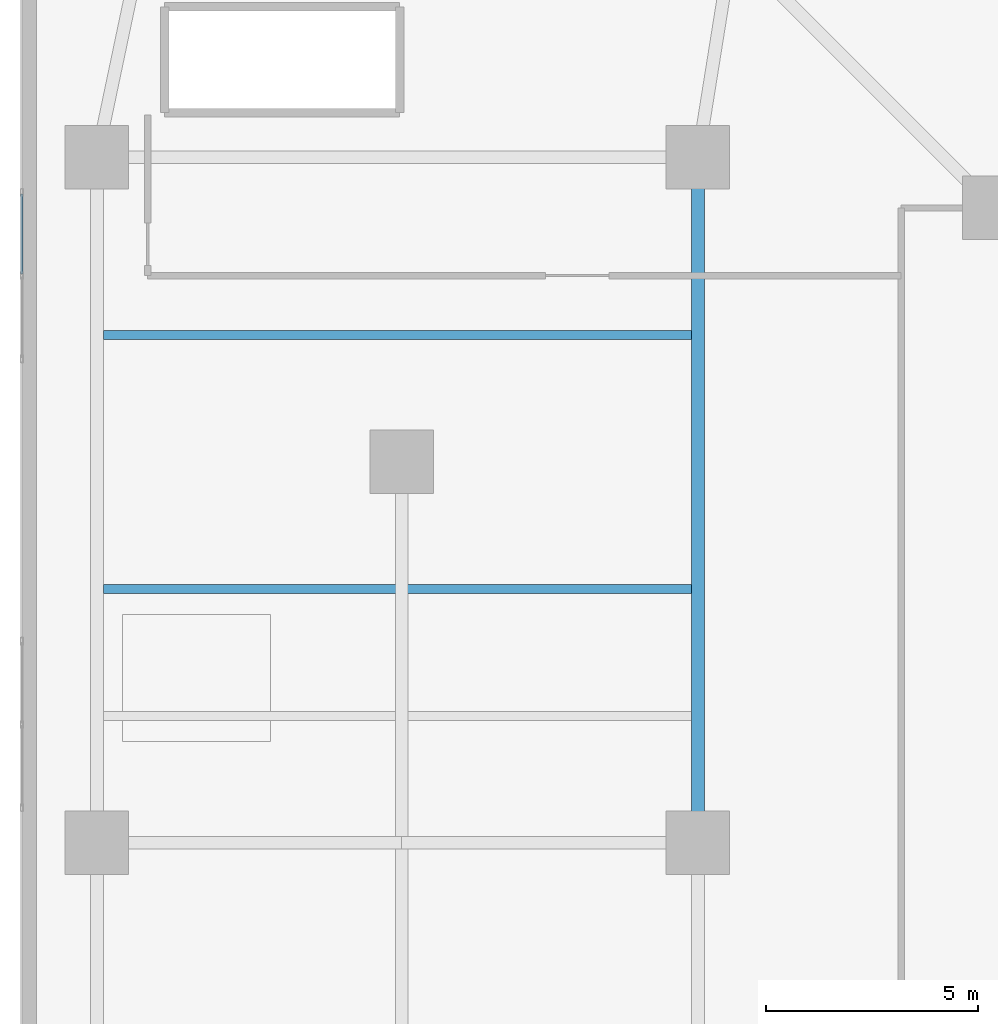
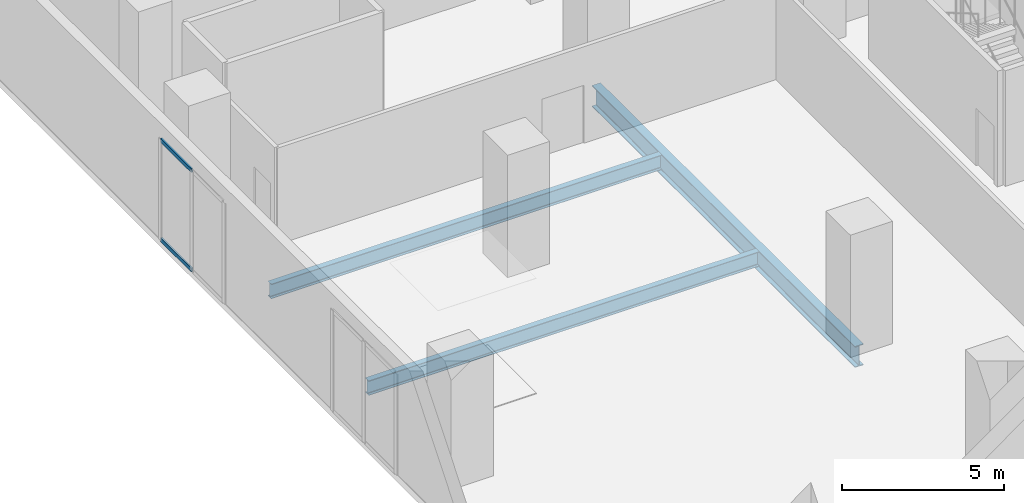
# One storey, part 5 of 14: 3 beams, 2 members, 1 element without a shape of its own.
"""IFC4 building model written with IfcOpenShell, lengths in metres."""

from ifc_helpers import new_model, si_unit, direction, frame, origin, origin_2d, place, context, subcontext, project, spatial, hollow_rectangle, i_section, extrude, material, material_profile, profile_set, type_object, element, aggregate, save


model = new_model("IFC4")

# Units and contexts
model_context = context("Model", 3, precision=1e-05, world=origin(), true_north=direction((0.0, 1.0)))
body_context = subcontext(model_context, "Body", "Model", "MODEL_VIEW")
ifc_project = project(units=[si_unit("LENGTHUNIT", "METRE"), si_unit("AREAUNIT", "SQUARE_METRE"), si_unit("VOLUMEUNIT", "CUBIC_METRE"), si_unit("PLANEANGLEUNIT", "RADIAN"), si_unit("MASSUNIT", "GRAM", prefix="KILO")], contexts=[model_context])

# Site, building, storey
site_placement = place(None, origin())
site = spatial("IfcSite", under=ifc_project, at=site_placement, CompositionType="ELEMENT")
building_placement = place(site_placement, origin())
building = spatial("IfcBuilding", under=site, at=building_placement, Name="Kuzgunbayir Cultural Tower", CompositionType="ELEMENT")
storey_placement = place(building_placement, frame((0.0, 0.0, 13.0)))
storey = spatial("IfcBuildingStorey", under=building, at=storey_placement, Name="L03", CompositionType="ELEMENT", Elevation=13.0)

# Beams
ifc_material_1 = material(Name="Steel S355J2", Category="steel")
ifc_material_profile_1 = material_profile(ifc_material_1, i_section(OverallWidth=0.300048828125, OverallDepth=0.800048828125, WebThickness=0.017578125, FlangeThickness=0.032958984375, FilletRadius=0.030029296875, at=origin_2d()), Name="HEB 800")
ifc_profile_set_1 = profile_set([ifc_material_profile_1], Name="Steel S355J2")
beam_type_1 = type_object("IfcBeamType", Name="BM-GIR-HEB800", PredefinedType="BEAM", material=ifc_profile_set_1)
beam_placement = place(storey_placement, frame((19.60009765625, 12.60009765625, -0.64990234375), z_axis=(0.0, 1.0, 0.0), x_axis=(-1.0, 0.0, 0.0)))
element("IfcBeam", 1, at=beam_placement, inside=storey, type_object=beam_type_1, Name="L03 Podium Primary Girder 5", PredefinedType="BEAM", context=body_context, shape_type="SweptSolid", body=[
    extrude(i_section(OverallWidth=0.300048828125, OverallDepth=0.800048828125, WebThickness=0.017578125, FlangeThickness=0.032958984375, FilletRadius=0.030029296875, at=origin_2d()), origin(), (0.0, 0.0, 1.0), 16.199951171875),
])
ifc_material_profile_2 = material_profile(ifc_material_1, i_section(OverallWidth=0.2099609375, OverallDepth=0.550048828125, WebThickness=0.010986328125, FlangeThickness=0.01708984375, FilletRadius=0.02392578125, at=origin_2d()), Name="IPE 550")
ifc_profile_set_2 = profile_set([ifc_material_profile_2], Name="Steel S355J2")
beam_type_2 = type_object("IfcBeamType", Name="BM-JST-IPE550", PredefinedType="JOIST", material=ifc_profile_set_2)
for number, where, z_axis, x_axis, name in (
    (2, (5.550048828125, 18.60009765625, -0.530029296875), (1.0, 0.0, 0.0), (0.0, 1.0, 0.0), "L03 Podium Joist A"),
    (3, (5.550048828125, 24.60009765625, -0.530029296875), (1.0, 0.0, 0.0), (0.0, 1.0, 0.0), "L03 Podium Joist A"),
):
    element("IfcBeam", number, at=place(storey_placement, frame(where, z_axis=z_axis, x_axis=x_axis)), inside=storey, type_object=beam_type_2, Name=name, PredefinedType="JOIST", context=body_context, shape_type="SweptSolid", body=[
        extrude(i_section(OverallWidth=0.2099609375, OverallDepth=0.550048828125, WebThickness=0.010986328125, FlangeThickness=0.01708984375, FilletRadius=0.02392578125, at=origin_2d()), origin(), (0.0, 0.0, 1.0), 13.89990234375),
    ])

# Curtain wall, members
ifc_material_2 = material(Name="Anodised Aluminium Framing", Category="aluminium")
curtain_wall_type = type_object("IfcCurtainWallType", Name="CW01-POD-FOYER", PredefinedType="NOTDEFINED", material=ifc_material_2)
curtain_wall_placement = place(storey_placement, origin())
curtain_wall = element("IfcCurtainWall", 4, at=curtain_wall_placement, inside=storey, type_object=curtain_wall_type, Name="L03 Civic Foyer Curtain Wall North", PredefinedType="NOTDEFINED")
ifc_material_profile_3 = material_profile(ifc_material_2, hollow_rectangle(XDim=0.06005859375, YDim=0.14990234375, WallThickness=0.00390625, at=origin_2d()), Name="RHS 150x60x4")
ifc_profile_set_3 = profile_set([ifc_material_profile_3], Name="Anodised Aluminium Framing")
member_type = type_object("IfcMemberType", Name="MEM-CW-TRANSOM-150", PredefinedType="USERDEFINED", material=ifc_profile_set_3)
member_1_placement = place(storey_placement, frame((3.6201171875, 26.03759765625, 0.030029296875), z_axis=(0.0, 1.0, 0.0), x_axis=(-1.0, 0.0, 0.0)))
member_1 = element("IfcMember", 5, at=member_1_placement, type_object=member_type, Name="CW01 transom 2.1", ObjectType="TRANSOM", PredefinedType="USERDEFINED", context=body_context, shape_type="SweptSolid", body=[
    extrude(hollow_rectangle(XDim=0.06005859375, YDim=0.14990234375, WallThickness=0.00390625, at=origin_2d()), origin(), (0.0, 0.0, 1.0), 1.887451171875),
])
member_2_placement = place(storey_placement, frame((3.6201171875, 26.03759765625, 3.77001953125), z_axis=(0.0, 1.0, 0.0), x_axis=(-1.0, 0.0, 0.0)))
member_2 = element("IfcMember", 6, at=member_2_placement, type_object=member_type, Name="CW01 transom 2.2", ObjectType="TRANSOM", PredefinedType="USERDEFINED", context=body_context, shape_type="SweptSolid", body=[
    extrude(hollow_rectangle(XDim=0.06005859375, YDim=0.14990234375, WallThickness=0.00390625, at=origin_2d()), origin(), (0.0, 0.0, 1.0), 1.887451171875),
])
aggregate(curtain_wall, [member_1, member_2])

save(model, "model.ifc")
